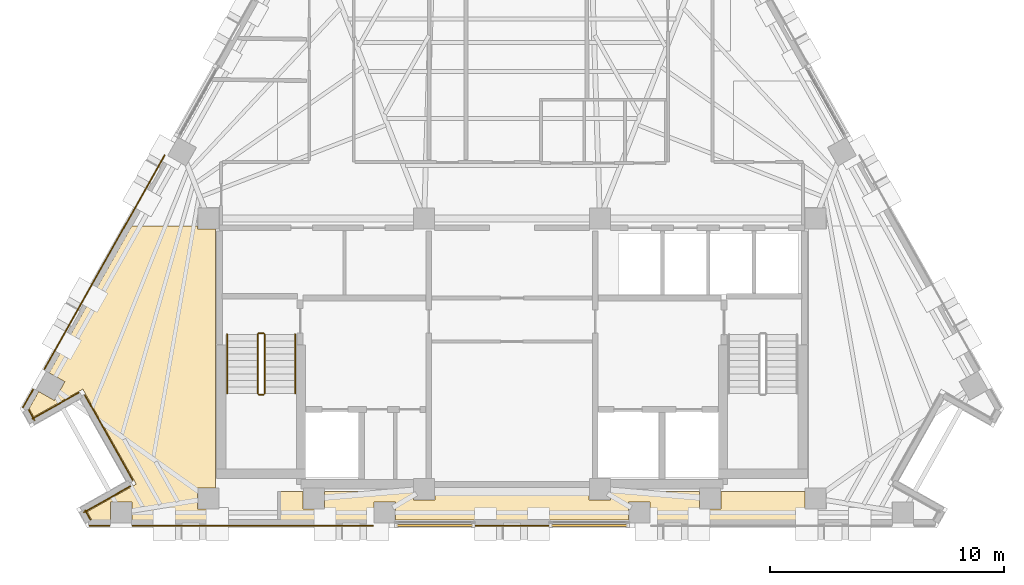
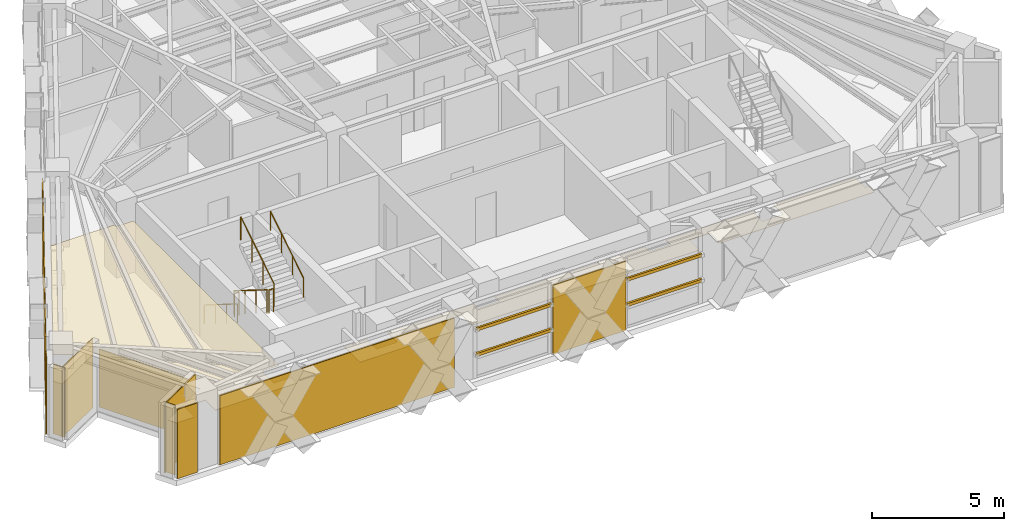
# One storey, part 10 of 12: 12 coverings, 6 railings, 4 shading devices.
"""IFC4 building model written with IfcOpenShell, lengths in metres."""

from ifc_helpers import new_model, si_unit, direction, frame, origin, origin_2d, place, context, subcontext, project, spatial, polyline, rectangle, circle, outline, extrude, material, layer, layer_set, material_profile, profile_set, type_object, element, save


model = new_model("IFC4")

# Units and contexts
model_context = context("Model", 3, precision=1e-05, world=origin(), true_north=direction((0.0, 1.0)))
body_context = subcontext(model_context, "Body", "Model", "MODEL_VIEW")
ifc_project = project(units=[si_unit("LENGTHUNIT", "METRE"), si_unit("AREAUNIT", "SQUARE_METRE"), si_unit("VOLUMEUNIT", "CUBIC_METRE"), si_unit("PLANEANGLEUNIT", "RADIAN"), si_unit("MASSUNIT", "GRAM", prefix="KILO")], contexts=[model_context])

# Site, building, storey
site_placement = place(None, origin())
site = spatial("IfcSite", under=ifc_project, at=site_placement, CompositionType="ELEMENT")
building_placement = place(site_placement, origin())
building = spatial("IfcBuilding", under=site, at=building_placement, Name="Quenlor Broadcast Tower", CompositionType="ELEMENT")
storey_placement = place(building_placement, frame((0.0, 0.0, 204.39990234375)))
storey = spatial("IfcBuildingStorey", under=building, at=storey_placement, Name="L56", CompositionType="ELEMENT", Elevation=204.39990234375)

# Coverings
ifc_material_1 = material(Name="Acoustic Mineral Fibre Board", Category="other")
ifc_layer_1 = layer(ifc_material_1, 0.02490234375)
ifc_layer_set_1 = layer_set([ifc_layer_1], Name="Acoustic Perforated Mineral Tile Ceiling 25")
covering_type_1 = type_object("IfcCoveringType", Name="Acoustic Perforated Mineral Tile Ceiling 25", PredefinedType="CEILING", material=ifc_layer_set_1)
covering_1_placement = place(storey_placement, frame((0.0, 0.0, 2.375)))
element("IfcCovering", 1, at=covering_1_placement, inside=storey, type_object=covering_type_1, Name="L56 Acoustic Ceiling L56-29-2", PredefinedType="CEILING", context=body_context, shape_type="SweptSolid", body=[
    extrude(outline(polyline([(-13.407958984375, -5.258056640625), (-12.64990234375, -5.258056640625), (-12.64990234375, -16.2919921875), (-13.407958984375, -16.2919921875), (-13.407958984375, -17.2080078125), (-12.64990234375, -17.2080078125), (-12.64990234375, -17.659912109375), (-16.218017578125, -17.659912109375), (-16.218017578125, -16.89208984375), (-17.1337890625, -16.89208984375), (-17.1337890625, -17.659912109375), (-17.927001953125, -17.659912109375), (-18.120849609375, -17.315673828125), (-16.029052734375, -16.138916015625), (-18.30859375, -12.08642578125), (-20.400390625, -13.26318359375), (-20.597900390625, -12.912109375), (-20.191162109375, -12.18896484375), (-19.52197265625, -12.5654296875), (-19.07275390625, -11.76708984375), (-19.7421875, -11.390625), (-16.21484375, -5.1201171875), (-13.407958984375, -5.1201171875), (-13.407958984375, -5.258056640625)])), origin(), (0.0, 0.0, 1.0), 0.025146484375),
])
covering_2_placement = place(storey_placement, frame((0.0, 0.0, 2.375)))
element("IfcCovering", 2, at=covering_2_placement, inside=storey, type_object=covering_type_1, Name="L56 Acoustic Ceiling L56-30-3", PredefinedType="CEILING", context=body_context, shape_type="SweptSolid", body=[
    extrude(outline(polyline([(5.895751953125, -17.659912109375), (5.895751953125, -16.89208984375), (4.979736328125, -16.89208984375), (4.979736328125, -17.659912109375), (-4.979736328125, -17.659912109375), (-4.979736328125, -16.89208984375), (-5.895751953125, -16.89208984375), (-5.895751953125, -17.659912109375), (-9.8935546875, -17.659912109375), (-9.8935546875, -16.449951171875), (-8.907958984375, -16.449951171875), (-8.907958984375, -17.2080078125), (-7.991943359375, -17.2080078125), (-7.991943359375, -16.449951171875), (-4.2080078125, -16.449951171875), (-4.2080078125, -16.80810546875), (-3.2919921875, -16.80810546875), (-3.2919921875, -16.449951171875), (3.2919921875, -16.449951171875), (3.2919921875, -16.80810546875), (4.2080078125, -16.80810546875), (4.2080078125, -16.449951171875), (7.991943359375, -16.449951171875), (7.991943359375, -17.2080078125), (8.907958984375, -17.2080078125), (8.907958984375, -16.449951171875), (12.491943359375, -16.449951171875), (12.491943359375, -17.2080078125), (12.64990234375, -17.2080078125), (12.64990234375, -17.659912109375), (5.895751953125, -17.659912109375)])), origin(), (0.0, 0.0, 1.0), 0.025146484375),
])

# Shading devices
ifc_material_2 = material(Name="Architectural Terracotta Ceramic", Category="masonry")
ifc_material_profile = material_profile(ifc_material_2, rectangle(XDim=0.090087890625, YDim=0.139892578125, at=origin_2d()))
ifc_profile_set = profile_set([ifc_material_profile], Name="Architectural Terracotta Ceramic BAG90x140")
shading_device_type = type_object("IfcShadingDeviceType", Name="Copper Terracotta Baguette Solar Screen 140", PredefinedType="USERDEFINED", material=ifc_profile_set)
for number, where, z_axis, x_axis, name in (
    (3, (4.933837890625, -17.89794921875, 1.170166015625), (-1.0, 0.0, 0.0), (0.0, -1.0, 0.0), "L56 Terracotta Baguette Screen 1"),
    (4, (4.933837890625, -17.89794921875, 2.340087890625), (-1.0, 0.0, 0.0), (0.0, -1.0, 0.0), "L56 Terracotta Baguette Screen 2"),
    (5, (-1.655029296875, -17.89794921875, 1.170166015625), (-1.0, 0.0, 0.0), (0.0, -1.0, 0.0), "L56 Terracotta Baguette Screen 1"),
    (6, (-1.655029296875, -17.89794921875, 2.340087890625), (-1.0, 0.0, 0.0), (0.0, -1.0, 0.0), "L56 Terracotta Baguette Screen 2"),
):
    element("IfcShadingDevice", number, at=place(storey_placement, frame(where, z_axis=z_axis, x_axis=x_axis)), inside=storey, type_object=shading_device_type, Name=name, ObjectType="BAGUETTE", PredefinedType="USERDEFINED", context=body_context, shape_type="SweptSolid", body=[
        extrude(rectangle(XDim=0.090087890625, YDim=0.139892578125, at=origin_2d()), origin(), (0.0, 0.0, 1.0), 3.27880859375),
    ])

# Coverings
ifc_material_3 = material(Name="Architectural Terracotta Ceramic", Category="masonry")
ifc_layer_2 = layer(ifc_material_3, 0.044921875)
ifc_layer_set_2 = layer_set([ifc_layer_2], Name="Fluted Terracotta Rainscreen Cladding Panel")
covering_type_2 = type_object("IfcCoveringType", Name="Fluted Terracotta Rainscreen Cladding Panel", PredefinedType="CLADDING", material=ifc_layer_set_2)
covering_3_placement = place(storey_placement, frame((0.0, 0.0, 0.02001953125)))
element("IfcCovering", 7, at=covering_3_placement, inside=storey, type_object=covering_type_2, Name="L56 Terracotta Rainscreen Cladding L56-SHD-SS1", PredefinedType="CLADDING", context=body_context, shape_type="SweptSolid", body=[
    extrude(outline(polyline([(-17.160888671875, -17.886962890625), (-18.035888671875, -17.886962890625), (-18.035888671875, -17.931884765625), (-17.160888671875, -17.931884765625), (-17.160888671875, -17.886962890625)])), origin(), (0.0, 0.0, 1.0), 3.2099609375),
])
covering_4_placement = place(storey_placement, frame((0.0, 0.0, 0.02001953125)))
element("IfcCovering", 8, at=covering_4_placement, inside=storey, type_object=covering_type_2, Name="L56 Terracotta Rainscreen Cladding L56-EW-SC", PredefinedType="CLADDING", context=body_context, shape_type="SweptSolid", body=[
    extrude(outline(polyline([(-5.9228515625, -17.89697265625), (-16.19091796875, -17.89697265625), (-16.19091796875, -17.94189453125), (-5.9228515625, -17.94189453125), (-5.9228515625, -17.89697265625)])), origin(), (0.0, 0.0, 1.0), 3.2099609375),
])
covering_5_placement = place(storey_placement, frame((0.0, 0.0, 0.02001953125)))
element("IfcCovering", 9, at=covering_5_placement, inside=storey, type_object=covering_type_2, Name="L56 Terracotta Rainscreen Cladding L56-S-SP1", PredefinedType="CLADDING", context=body_context, shape_type="SweptSolid", body=[
    extrude(outline(polyline([(1.591064453125, -17.89697265625), (-1.591064453125, -17.89697265625), (-1.591064453125, -17.94189453125), (1.591064453125, -17.94189453125), (1.591064453125, -17.89697265625)])), origin(), (0.0, 0.0, 1.0), 3.2099609375),
])
covering_6_placement = place(storey_placement, frame((0.0, 0.0, 0.02001953125)))
element("IfcCovering", 10, at=covering_6_placement, inside=storey, type_object=covering_type_2, Name="L56 Terracotta Rainscreen Cladding L56-SHD-NWS0", PredefinedType="CLADDING", context=body_context, shape_type="SweptSolid", body=[
    extrude(outline(polyline([(-20.845458984375, -12.888916015625), (-20.402099609375, -12.10107421875), (-20.44140625, -12.0791015625), (-20.884521484375, -12.866943359375), (-20.845458984375, -12.888916015625)])), origin(), (0.0, 0.0, 1.0), 3.2099609375),
])
covering_7_placement = place(storey_placement, frame((0.0, 0.0, 0.02001953125)))
element("IfcCovering", 11, at=covering_7_placement, inside=storey, type_object=covering_type_2, Name="L56 Terracotta Rainscreen Cladding L56-EW-NWA", PredefinedType="CLADDING", context=body_context, shape_type="SweptSolid", body=[
    extrude(outline(polyline([(-19.935302734375, -11.250732421875), (-14.7919921875, -2.106689453125), (-14.831298828125, -2.084716796875), (-19.974609375, -11.228759765625), (-19.935302734375, -11.250732421875)])), origin(), (0.0, 0.0, 1.0), 3.2099609375),
])
covering_8_placement = place(storey_placement, frame((0.0, 0.0, 0.02001953125)))
element("IfcCovering", 12, at=covering_8_placement, inside=storey, type_object=covering_type_2, Name="L56 Terracotta Rainscreen Cladding L56-CNR-12", PredefinedType="CLADDING", context=body_context, shape_type="SweptSolid", body=[
    extrude(outline(polyline([(-20.64306640625, -12.970458984375), (-20.38623046875, -13.427001953125), (-20.346923828125, -13.405029296875), (-20.60400390625, -12.948486328125), (-20.64306640625, -12.970458984375)])), origin(), (0.0, 0.0, 1.0), 3.2099609375),
])
covering_9_placement = place(storey_placement, frame((0.0, 0.0, 0.02001953125)))
element("IfcCovering", 13, at=covering_9_placement, inside=storey, type_object=covering_type_2, Name="L56 Terracotta Rainscreen Cladding L56-CNR-13", PredefinedType="CLADDING", context=body_context, shape_type="SweptSolid", body=[
    extrude(outline(polyline([(-20.462890625, -13.376220703125), (-18.45849609375, -12.248779296875), (-18.48046875, -12.20947265625), (-20.485107421875, -13.337158203125), (-20.462890625, -13.376220703125)])), origin(), (0.0, 0.0, 1.0), 3.2099609375),
])
covering_10_placement = place(storey_placement, frame((0.0, 0.0, 0.02001953125)))
element("IfcCovering", 14, at=covering_10_placement, inside=storey, type_object=covering_type_2, Name="L56 Terracotta Rainscreen Cladding L56-CNR-14", PredefinedType="CLADDING", context=body_context, shape_type="SweptSolid", body=[
    extrude(outline(polyline([(-18.245361328125, -12.337646484375), (-16.19140625, -15.9892578125), (-16.152099609375, -15.96728515625), (-18.206298828125, -12.315673828125), (-18.245361328125, -12.337646484375)])), origin(), (0.0, 0.0, 1.0), 2.681884765625),
])
covering_11_placement = place(storey_placement, frame((0.0, 0.0, 0.02001953125)))
element("IfcCovering", 15, at=covering_11_placement, inside=storey, type_object=covering_type_2, Name="L56 Terracotta Rainscreen Cladding L56-CNR-15", PredefinedType="CLADDING", context=body_context, shape_type="SweptSolid", body=[
    extrude(outline(polyline([(-16.2802734375, -16.2021484375), (-18.284912109375, -17.329833984375), (-18.262939453125, -17.368896484375), (-16.25830078125, -16.241455078125), (-16.2802734375, -16.2021484375)])), origin(), (0.0, 0.0, 1.0), 3.2099609375),
])
covering_12_placement = place(storey_placement, frame((0.0, 0.0, 0.02001953125)))
element("IfcCovering", 16, at=covering_12_placement, inside=storey, type_object=covering_type_2, Name="L56 Terracotta Rainscreen Cladding L56-CNR-16", PredefinedType="CLADDING", context=body_context, shape_type="SweptSolid", body=[
    extrude(outline(polyline([(-18.234130859375, -17.2529296875), (-17.99853515625, -17.671875), (-17.959228515625, -17.64990234375), (-18.19482421875, -17.23095703125), (-18.234130859375, -17.2529296875)])), origin(), (0.0, 0.0, 1.0), 3.2099609375),
])

# Railings
ifc_material_4 = material(Name="Anodised Aluminium", Category="aluminium")
railing_type_1 = type_object("IfcRailingType", Name="Stainless Aluminium Wall Handrail 900", PredefinedType="HANDRAIL", material=ifc_material_4)
railing_1_placement = place(storey_placement, frame((-12.14990234375, -9.75, 0.175048828125)))
element("IfcRailing", 17, at=railing_1_placement, inside=storey, type_object=railing_type_1, Name="L56 ST-1 stair handrail 1", PredefinedType="HANDRAIL", context=body_context, shape_type="SweptSolid", body=[
    extrude(circle(Radius=0.02392578125, at=origin_2d()), frame((0.0, 0.0, 0.8759765625), z_axis=(0.0, -0.848007534815, 0.529984170421), x_axis=(1.0, 0.0, 0.0)), (0.0, 0.0, 1.0), 2.9716796875),
    extrude(circle(Radius=0.02099609375, at=origin_2d()), origin(), (0.0, 0.0, 1.0), 0.851806640625),
    extrude(circle(Radius=0.02099609375, at=origin_2d()), frame((0.0, -0.840087890625, 0.52490234375)), (0.0, 0.0, 1.0), 0.851806640625),
    extrude(circle(Radius=0.02099609375, at=origin_2d()), frame((0.0, -1.679931640625, 1.050048828125)), (0.0, 0.0, 1.0), 0.851806640625),
    extrude(circle(Radius=0.02099609375, at=origin_2d()), frame((0.0, -2.52001953125, 1.574951171875)), (0.0, 0.0, 1.0), 0.851806640625),
])
railing_2_placement = place(storey_placement, frame((-9.25, -12.27001953125, 1.925048828125)))
element("IfcRailing", 18, at=railing_2_placement, inside=storey, type_object=railing_type_1, Name="L56 ST-1 stair handrail 2", PredefinedType="HANDRAIL", context=body_context, shape_type="SweptSolid", body=[
    extrude(circle(Radius=0.02392578125, at=origin_2d()), frame((0.0, 0.0, 0.8759765625), z_axis=(0.0, 0.848007534815, 0.529984170421), x_axis=(-1.0, 0.0, 0.0)), (0.0, 0.0, 1.0), 2.9716796875),
    extrude(circle(Radius=0.02099609375, at=origin_2d()), origin(), (0.0, 0.0, 1.0), 0.851806640625),
    extrude(circle(Radius=0.02099609375, at=origin_2d()), frame((0.0, 0.840087890625, 0.52490234375)), (0.0, 0.0, 1.0), 0.851806640625),
    extrude(circle(Radius=0.02099609375, at=origin_2d()), frame((0.0, 1.679931640625, 1.050048828125)), (0.0, 0.0, 1.0), 0.851806640625),
    extrude(circle(Radius=0.02099609375, at=origin_2d()), frame((0.0, 2.52001953125, 1.574951171875)), (0.0, 0.0, 1.0), 0.851806640625),
])
ifc_material_5 = material(Name="Steel S355", Category="steel")
railing_type_2 = type_object("IfcRailingType", Name="Tubular Steel S355 Stair Guardrail 1100", PredefinedType="BALUSTRADE", material=ifc_material_5)
railing_3_placement = place(storey_placement, frame((-10.85009765625, -9.75, 0.175048828125)))
element("IfcRailing", 19, at=railing_3_placement, inside=storey, type_object=railing_type_2, Name="L56 ST-1 stair guard 1", PredefinedType="BALUSTRADE", context=body_context, shape_type="SweptSolid", body=[
    extrude(circle(Radius=0.02392578125, at=origin_2d()), frame((0.0, 0.0, 1.076171875), z_axis=(0.0, -0.848007534815, 0.529984170421), x_axis=(1.0, 0.0, 0.0)), (0.0, 0.0, 1.0), 2.9716796875),
    extrude(circle(Radius=0.02099609375, at=origin_2d()), origin(), (0.0, 0.0, 1.0), 1.052001953125),
    extrude(circle(Radius=0.02099609375, at=origin_2d()), frame((0.0, -0.840087890625, 0.52490234375)), (0.0, 0.0, 1.0), 1.052001953125),
    extrude(circle(Radius=0.02099609375, at=origin_2d()), frame((0.0, -1.679931640625, 1.050048828125)), (0.0, 0.0, 1.0), 1.052001953125),
    extrude(circle(Radius=0.02099609375, at=origin_2d()), frame((0.0, -2.52001953125, 1.574951171875)), (0.0, 0.0, 1.0), 1.052001953125),
])
railing_4_placement = place(storey_placement, frame((-10.800048828125, -12.320068359375, 1.75)))
element("IfcRailing", 20, at=railing_4_placement, inside=storey, type_object=railing_type_2, Name="L56 ST-1 stair guard 2", PredefinedType="BALUSTRADE", context=body_context, shape_type="SweptSolid", body=[
    extrude(circle(Radius=0.02392578125, at=origin_2d()), frame((0.0, 0.0, 1.076171875), z_axis=(1.0, 0.0, 0.0), x_axis=(0.0, 1.0, 0.0)), (0.0, 0.0, 1.0), 0.199951171875),
    extrude(circle(Radius=0.02099609375, at=origin_2d()), origin(), (0.0, 0.0, 1.0), 1.052001953125),
    extrude(circle(Radius=0.02099609375, at=origin_2d()), frame((0.199951171875, 0.0, 0.0)), (0.0, 0.0, 1.0), 1.052001953125),
])
railing_5_placement = place(storey_placement, frame((-10.550048828125, -12.27001953125, 1.925048828125)))
element("IfcRailing", 21, at=railing_5_placement, inside=storey, type_object=railing_type_2, Name="L56 ST-1 stair guard 3", PredefinedType="BALUSTRADE", context=body_context, shape_type="SweptSolid", body=[
    extrude(circle(Radius=0.02392578125, at=origin_2d()), frame((0.0, 0.0, 1.076171875), z_axis=(0.0, 0.848007534815, 0.529984170421), x_axis=(-1.0, 0.0, 0.0)), (0.0, 0.0, 1.0), 2.9716796875),
    extrude(circle(Radius=0.02099609375, at=origin_2d()), origin(), (0.0, 0.0, 1.0), 1.052001953125),
    extrude(circle(Radius=0.02099609375, at=origin_2d()), frame((0.0, 0.840087890625, 0.52490234375)), (0.0, 0.0, 1.0), 1.052001953125),
    extrude(circle(Radius=0.02099609375, at=origin_2d()), frame((0.0, 1.679931640625, 1.050048828125)), (0.0, 0.0, 1.0), 1.052001953125),
    extrude(circle(Radius=0.02099609375, at=origin_2d()), frame((0.0, 2.52001953125, 1.574951171875)), (0.0, 0.0, 1.0), 1.052001953125),
])
railing_6_placement = place(storey_placement, frame((-10.800048828125, -9.699951171875, 0.0)))
element("IfcRailing", 22, at=railing_6_placement, inside=storey, type_object=railing_type_2, Name="L56 ST-1 stair guard 4", PredefinedType="BALUSTRADE", context=body_context, shape_type="SweptSolid", body=[
    extrude(circle(Radius=0.02392578125, at=origin_2d()), frame((0.0, 0.0, 1.076171875), z_axis=(1.0, 0.0, 0.0), x_axis=(0.0, 1.0, 0.0)), (0.0, 0.0, 1.0), 0.199951171875),
    extrude(circle(Radius=0.02099609375, at=origin_2d()), origin(), (0.0, 0.0, 1.0), 1.052001953125),
    extrude(circle(Radius=0.02099609375, at=origin_2d()), frame((0.199951171875, 0.0, 0.0)), (0.0, 0.0, 1.0), 1.052001953125),
])

save(model, "model.ifc")
